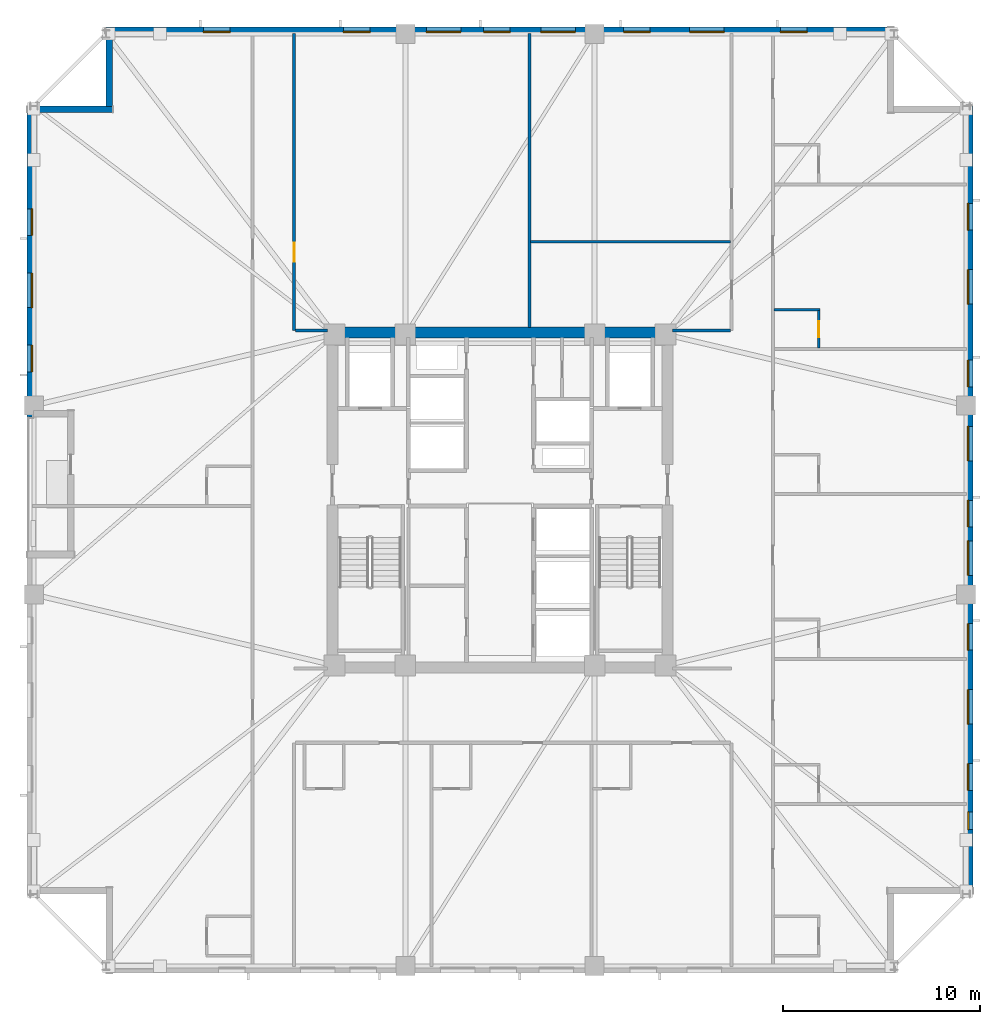
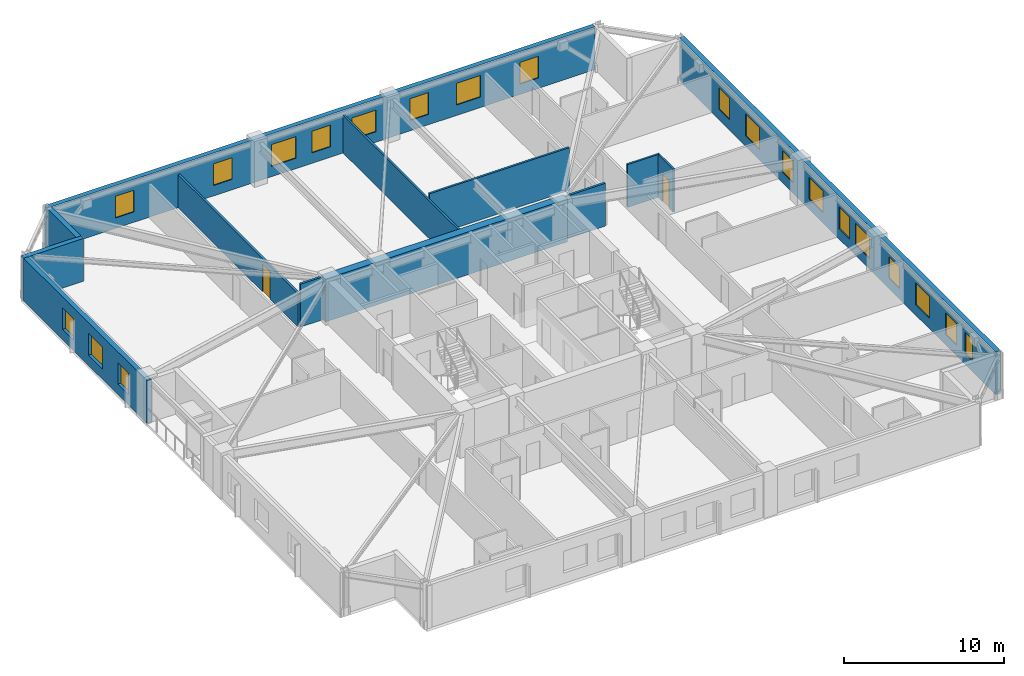
# One storey, part 5 of 11: 21 windows, 13 walls, 2 doors, 23 openings.
"""IFC4 building model written with IfcOpenShell, lengths in metres."""

from ifc_helpers import new_model, si_unit, direction, frame, frame_2d, origin, place, context, subcontext, project, spatial, rectangle, extrude, material, layer, layer_set, type_object, element, fill, save


model = new_model("IFC4")

# Units and contexts
model_context = context("Model", 3, precision=1e-05, world=origin(), true_north=direction((0.0, 1.0)))
body_context = subcontext(model_context, "Body", "Model", "MODEL_VIEW")
ifc_project = project(units=[si_unit("LENGTHUNIT", "METRE"), si_unit("AREAUNIT", "SQUARE_METRE"), si_unit("VOLUMEUNIT", "CUBIC_METRE"), si_unit("PLANEANGLEUNIT", "RADIAN"), si_unit("MASSUNIT", "GRAM", prefix="KILO")], contexts=[model_context])

# Site, building, storey
site_placement = place(None, origin())
site = spatial("IfcSite", under=ifc_project, at=site_placement, CompositionType="ELEMENT")
building_placement = place(site_placement, origin())
building = spatial("IfcBuilding", under=site, at=building_placement, Name="Cairnveth Concourse Tower", CompositionType="ELEMENT")
storey_placement = place(building_placement, frame((0.0, 0.0, 127.0)))
storey = spatial("IfcBuildingStorey", under=building, at=storey_placement, Name="L34", CompositionType="ELEMENT", Elevation=127.0)

# Wall, opening, door
ifc_material_1 = material(Name="Gypsum Plasterboard Partition", Category="gypsum")
ifc_layer_1 = layer(ifc_material_1, 0.159912109375)
ifc_layer_set_1 = layer_set([ifc_layer_1], Name="Gypsum Plasterboard Partition")
wall_type_1 = type_object("IfcWallType", Name="ACOUSTIC PARTY WALL 180", PredefinedType="PARTITIONING", material=ifc_layer_set_1)
wall_1_placement = place(storey_placement, frame((41.550048828125, 47.60009765625, 0.0), z_axis=(0.0, 0.0, 1.0), x_axis=(0.0, 1.0, 0.0)))
wall_1 = element("IfcWall", 1, at=wall_1_placement, inside=storey, type_object=wall_type_1, Name="Interior Wall IW-L34-039", PredefinedType="PARTITIONING", context=body_context, shape_type="SweptSolid", body=[
    extrude(rectangle(XDim=15.074951171875, YDim=0.159912109375, at=frame_2d((7.53759765625, 0.0))), origin(), (0.0, 0.0, 1.0), 2.554931640625),
])
opening_1_placement = place(wall_1_placement, frame((3.5, 0.0, 0.0)))
opening_1 = element("IfcOpeningElement", 2, at=opening_1_placement, cuts=wall_1, Name="Opening ID11", PredefinedType="OPENING", context=body_context, shape_type="SweptSolid", body=[
    extrude(rectangle(XDim=0.9599609375, YDim=2.1201171875, at=frame_2d((0.47998046875, 1.06005859375))), frame((0.0, 0.08984375, 0.0), z_axis=(0.0, -1.0, 0.0), x_axis=(1.0, 0.0, 0.0)), (0.0, 0.0, 1.0), 0.179931640625),
])
ifc_material_2 = material(Name="Solid Core Hardwood Timber Leaf", Category="wood")
door_type_1 = type_object("IfcDoorType", Name="INTERIOR SINGLE DOOR 960X2150", OperationType="NOTDEFINED", PredefinedType="DOOR", material=ifc_material_2)
door_1_placement = place(opening_1_placement, origin())
door_1 = element("IfcDoor", 3, at=door_1_placement, inside=storey, type_object=door_type_1, Name="Interior Door DR-L34-016", OperationType="SINGLE_SWING_RIGHT", OverallHeight=2.1201171875, OverallWidth=0.9599609375, PredefinedType="DOOR", context=body_context, shape_type="SweptSolid", body=[
    extrude(rectangle(XDim=0.9599609375, YDim=2.1201171875, at=frame_2d((0.47998046875, 1.06005859375))), frame((0.0, 0.02490234375, 0.0), z_axis=(0.0, -1.0, 0.0), x_axis=(1.0, 0.0, 0.0)), (0.0, 0.0, 1.0), 0.050048828125),
])
fill(opening_1, door_1)

# Walls
wall_2_placement = place(storey_placement, frame((41.614990234375, 47.60009765625, 0.0), z_axis=(0.0, 0.0, 1.0), x_axis=(1.0, 0.0, 0.0)))
element("IfcWall", 4, at=wall_2_placement, inside=storey, type_object=wall_type_1, Name="Interior Wall IW-L34-041", PredefinedType="PARTITIONING", context=body_context, shape_type="SweptSolid", body=[
    extrude(rectangle(XDim=1.6201171875, YDim=0.159912109375, at=frame_2d((0.81005859375, 0.0))), origin(), (0.0, 0.0, 1.0), 3.280029296875),
])
wall_3_placement = place(storey_placement, frame((60.764892578125, 47.60009765625, 0.0), z_axis=(0.0, 0.0, 1.0), x_axis=(1.0, 0.0, 0.0)))
element("IfcWall", 5, at=wall_3_placement, inside=storey, type_object=wall_type_1, Name="Interior Wall IW-L34-046", PredefinedType="PARTITIONING", context=body_context, shape_type="SweptSolid", body=[
    extrude(rectangle(XDim=2.920166015625, YDim=0.159912109375, at=frame_2d((1.4599609375, 0.0))), origin(), (0.0, 0.0, 1.0), 3.280029296875),
])
ifc_material_3 = material(Name="Concrete N80 (80 MPa)", Category="concrete")
ifc_layer_2 = layer(ifc_material_3, 0.550048828125)
ifc_layer_set_2 = layer_set([ifc_layer_2], Name="Concrete N80 (80 MPa)")
wall_type_2 = type_object("IfcWallType", Name="CORE SHEAR WALL 550", PredefinedType="SHEAR", material=ifc_layer_set_2)
wall_4_placement = place(storey_placement, frame((43.22509765625, 47.5, 0.0), z_axis=(0.0, 0.0, 1.0), x_axis=(1.0, 0.0, 0.0)))
element("IfcWall", 6, at=wall_4_placement, inside=storey, type_object=wall_type_2, Name="Core North Shear Wall L34", PredefinedType="SHEAR", context=body_context, shape_type="SweptSolid", body=[
    extrude(rectangle(XDim=17.5498046875, YDim=0.550048828125, at=frame_2d((8.77490234375, 0.0))), origin(), (0.0, 0.0, 1.0), 3.280029296875),
])
ifc_layer_3 = layer(ifc_material_1, 0.139892578125)
ifc_layer_set_3 = layer_set([ifc_layer_3], Name="Gypsum Plasterboard Partition")
wall_type_3 = type_object("IfcWallType", Name="GYPSUM STUD PARTITION 140", PredefinedType="PARTITIONING", material=ifc_layer_set_3)
wall_5_placement = place(storey_placement, frame((53.5, 47.760009765625, 0.0), z_axis=(0.0, 0.0, 1.0), x_axis=(0.0, 1.0, 0.0)))
element("IfcWall", 7, at=wall_5_placement, inside=storey, type_object=wall_type_3, Name="Interior Wall IW-L34-048", PredefinedType="PARTITIONING", context=body_context, shape_type="SweptSolid", body=[
    extrude(rectangle(XDim=14.9150390625, YDim=0.139892578125, at=frame_2d((7.45751953125, 0.0))), origin(), (0.0, 0.0, 1.0), 2.89599609375),
])
wall_6_placement = place(storey_placement, frame((53.554931640625, 52.10009765625, 0.0), z_axis=(0.0, 0.0, 1.0), x_axis=(1.0, 0.0, 0.0)))
element("IfcWall", 8, at=wall_6_placement, inside=storey, type_object=wall_type_3, Name="Interior Wall IW-L34-049", PredefinedType="PARTITIONING", context=body_context, shape_type="SweptSolid", body=[
    extrude(rectangle(XDim=10.130126953125, YDim=0.139892578125, at=frame_2d((5.06494140625, 0.0))), origin(), (0.0, 0.0, 1.0), 3.280029296875),
])
ifc_layer_4 = layer(ifc_material_1, 0.1298828125)
ifc_layer_set_4 = layer_set([ifc_layer_4], Name="Gypsum Plasterboard Partition")
wall_type_4 = type_object("IfcWallType", Name="WET AREA PARTITION 140", PredefinedType="PLUMBINGWALL", material=ifc_layer_set_4)
wall_7_placement = place(storey_placement, frame((65.9150390625, 48.6552734375, 0.0), z_axis=(0.0, 0.0, 1.0), x_axis=(1.0, 0.0, 0.0)))
element("IfcWall", 9, at=wall_7_placement, inside=storey, type_object=wall_type_4, Name="Interior Wall IW-L34-078", PredefinedType="PLUMBINGWALL", context=body_context, shape_type="SweptSolid", body=[
    extrude(rectangle(XDim=2.31494140625, YDim=0.1298828125, at=frame_2d((1.157470703125, 0.0))), origin(), (0.0, 0.0, 1.0), 3.280029296875),
])

# Wall, opening, door
wall_8_placement = place(storey_placement, frame((68.179931640625, 46.72021484375, 0.0), z_axis=(0.0, 0.0, 1.0), x_axis=(0.0, 1.0, 0.0)))
wall_8 = element("IfcWall", 10, at=wall_8_placement, inside=storey, type_object=wall_type_4, Name="Interior Wall IW-L34-079", PredefinedType="PLUMBINGWALL", context=body_context, shape_type="SweptSolid", body=[
    extrude(rectangle(XDim=1.885009765625, YDim=0.1298828125, at=frame_2d((0.9423828125, 0.0))), origin(), (0.0, 0.0, 1.0), 3.280029296875),
])
opening_2_placement = place(wall_8_placement, frame((0.52490234375, 0.0, 0.0)))
opening_2 = element("IfcOpeningElement", 11, at=opening_2_placement, cuts=wall_8, Name="Opening ID22", PredefinedType="OPENING", context=body_context, shape_type="SweptSolid", body=[
    extrude(rectangle(XDim=0.820068359375, YDim=2.10009765625, at=frame_2d((0.41015625, 1.050048828125))), frame((0.0, 0.074951171875, 0.0), z_axis=(0.0, -1.0, 0.0), x_axis=(1.0, 0.0, 0.0)), (0.0, 0.0, 1.0), 0.14990234375),
])
door_type_2 = type_object("IfcDoorType", Name="INTERIOR WC DOOR 820X2100", OperationType="NOTDEFINED", PredefinedType="DOOR", material=ifc_material_2)
door_2_placement = place(opening_2_placement, origin())
door_2 = element("IfcDoor", 12, at=door_2_placement, inside=storey, type_object=door_type_2, Name="En-Suite Door L34-E5", OperationType="SINGLE_SWING_LEFT", OverallHeight=2.10009765625, OverallWidth=0.820068359375, PredefinedType="DOOR", context=body_context, shape_type="SweptSolid", body=[
    extrude(rectangle(XDim=0.820068359375, YDim=2.10009765625, at=frame_2d((0.41015625, 1.050048828125))), frame((0.0, 0.02490234375, 0.0), z_axis=(0.0, -1.0, 0.0), x_axis=(1.0, 0.0, 0.0)), (0.0, 0.0, 1.0), 0.050048828125),
])
fill(opening_2, door_2)

# Wall, openings, windows
ifc_material_4 = material(Name="Hawthorn Red-Ochre Fired Clay Brick Masonry", Category="masonry")
ifc_layer_5 = layer(ifc_material_4, 0.340087890625)
ifc_layer_set_5 = layer_set([ifc_layer_5], Name="Hawthorn Red-Ochre Fired Clay Brick Masonry")
wall_type_5 = type_object("IfcWallType", Name="ZONE 2 BRICK PIER SPANDREL WALL 340", PredefinedType="SOLIDWALL", material=ifc_layer_set_5)
wall_9_placement = place(storey_placement, frame((28.169921875, 43.199951171875, 0.0), z_axis=(0.0, 0.0, 1.0), x_axis=(0.0, 1.0, 0.0)))
wall_9 = element("IfcWall", 13, at=wall_9_placement, inside=storey, type_object=wall_type_5, Name="Exterior Wall EW-L34-S00", PredefinedType="SOLIDWALL", context=body_context, shape_type="SweptSolid", body=[
    extrude(rectangle(XDim=15.48193359375, YDim=0.340087890625, at=frame_2d((7.740966796875, 0.0))), origin(), (0.0, 0.0, 1.0), 3.280029296875),
])
opening_3_placement = place(wall_9_placement, frame((2.305419921875, 0.0, 0.800048828125)))
opening_3 = element("IfcOpeningElement", 14, at=opening_3_placement, cuts=wall_9, Name="Opening W02", PredefinedType="OPENING", context=body_context, shape_type="SweptSolid", body=[
    extrude(rectangle(XDim=1.35009765625, YDim=1.659912109375, at=frame_2d((0.675048828125, 0.830078125))), frame((0.0, 0.179931640625, 0.0), z_axis=(0.0, -1.0, 0.0), x_axis=(1.0, 0.0, 0.0)), (0.0, 0.0, 1.0), 0.360107421875),
])
opening_4_placement = place(wall_9_placement, frame((5.56591796875, 0.0, 0.800048828125)))
opening_4 = element("IfcOpeningElement", 15, at=opening_4_placement, cuts=wall_9, Name="Opening W06", PredefinedType="OPENING", context=body_context, shape_type="SweptSolid", body=[
    extrude(rectangle(XDim=1.75, YDim=1.659912109375, at=frame_2d((0.875, 0.830078125))), frame((0.0, 0.179931640625, 0.0), z_axis=(0.0, -1.0, 0.0), x_axis=(1.0, 0.0, 0.0)), (0.0, 0.0, 1.0), 0.360107421875),
])
opening_5_placement = place(wall_9_placement, frame((9.226806640625, 0.0, 0.800048828125)))
opening_5 = element("IfcOpeningElement", 16, at=opening_5_placement, cuts=wall_9, Name="Opening W02", PredefinedType="OPENING", context=body_context, shape_type="SweptSolid", body=[
    extrude(rectangle(XDim=1.35009765625, YDim=1.659912109375, at=frame_2d((0.675048828125, 0.830078125))), frame((0.0, 0.179931640625, 0.0), z_axis=(0.0, -1.0, 0.0), x_axis=(1.0, 0.0, 0.0)), (0.0, 0.0, 1.0), 0.360107421875),
])
ifc_material_5 = material(Name="Double Glazed Low-E Clear Glass", Category="glass")
window_type_1 = type_object("IfcWindowType", Name="DEEP-SET GOTHIC LANCET WINDOW 1350X1800", PartitioningType="DOUBLE_PANEL_VERTICAL", PredefinedType="WINDOW", material=ifc_material_5)
window_1_placement = place(opening_3_placement, origin())
window_1 = element("IfcWindow", 17, at=window_1_placement, inside=storey, type_object=window_type_1, Name="Gothic Lancet Window L34-0-1", OverallHeight=1.659912109375, OverallWidth=1.35009765625, PartitioningType="SINGLE_PANEL", PredefinedType="WINDOW", context=body_context, shape_type="SweptSolid", body=[
    extrude(rectangle(XDim=1.35009765625, YDim=1.659912109375, at=frame_2d((0.675048828125, 0.830078125))), frame((0.0, -0.050048828125, 0.0), z_axis=(0.0, -1.0, 0.0), x_axis=(1.0, 0.0, 0.0)), (0.0, 0.0, 1.0), 0.06005859375),
])
fill(opening_3, window_1)
window_2_placement = place(opening_5_placement, origin())
window_2 = element("IfcWindow", 18, at=window_2_placement, inside=storey, type_object=window_type_1, Name="Gothic Lancet Window L34-0-3", OverallHeight=1.659912109375, OverallWidth=1.35009765625, PartitioningType="SINGLE_PANEL", PredefinedType="WINDOW", context=body_context, shape_type="SweptSolid", body=[
    extrude(rectangle(XDim=1.35009765625, YDim=1.659912109375, at=frame_2d((0.675048828125, 0.830078125))), frame((0.0, -0.050048828125, 0.0), z_axis=(0.0, -1.0, 0.0), x_axis=(1.0, 0.0, 0.0)), (0.0, 0.0, 1.0), 0.06005859375),
])
fill(opening_5, window_2)
window_type_2 = type_object("IfcWindowType", Name="DEEP-SET HOTEL SUITE WINDOW 1750X1800", PartitioningType="DOUBLE_PANEL_VERTICAL", PredefinedType="WINDOW", material=ifc_material_5)
window_3_placement = place(opening_4_placement, origin())
window_3 = element("IfcWindow", 19, at=window_3_placement, inside=storey, type_object=window_type_2, Name="Gothic Lancet Window L34-0-2", OverallHeight=1.659912109375, OverallWidth=1.75, PartitioningType="SINGLE_PANEL", PredefinedType="WINDOW", context=body_context, shape_type="SweptSolid", body=[
    extrude(rectangle(XDim=1.75, YDim=1.659912109375, at=frame_2d((0.875, 0.830078125))), frame((0.0, -0.050048828125, 0.0), z_axis=(0.0, -1.0, 0.0), x_axis=(1.0, 0.0, 0.0)), (0.0, 0.0, 1.0), 0.06005859375),
])
fill(opening_4, window_3)

# Walls
wall_10_placement = place(storey_placement, frame((28.0, 58.830078125, 0.0), z_axis=(0.0, 0.0, 1.0), x_axis=(1.0, 0.0, 0.0)))
element("IfcWall", 20, at=wall_10_placement, inside=storey, type_object=wall_type_5, Name="Exterior Wall EW-L34-S01", PredefinedType="SOLIDWALL", context=body_context, shape_type="SweptSolid", body=[
    extrude(rectangle(XDim=4.340087890625, YDim=0.340087890625, at=frame_2d((2.169921875, 0.0))), origin(), (0.0, 0.0, 1.0), 3.280029296875),
])
wall_11_placement = place(storey_placement, frame((32.169921875, 58.97802734375, 0.0), z_axis=(0.0, 0.0, 1.0), x_axis=(0.0, 1.0, 0.0)))
element("IfcWall", 21, at=wall_11_placement, inside=storey, type_object=wall_type_5, Name="Exterior Wall EW-L34-S02", PredefinedType="SOLIDWALL", context=body_context, shape_type="SweptSolid", body=[
    extrude(rectangle(XDim=3.703857421875, YDim=0.340087890625, at=frame_2d((1.85205078125, 0.0))), origin(), (0.0, 0.0, 1.0), 3.280029296875),
])

# Wall, openings, windows
wall_12_placement = place(storey_placement, frame((32.0, 62.830078125, 0.0), z_axis=(0.0, 0.0, 1.0), x_axis=(1.0, 0.0, 0.0)))
wall_12 = element("IfcWall", 22, at=wall_12_placement, inside=storey, type_object=wall_type_5, Name="Exterior Wall EW-L34-S03", PredefinedType="SOLIDWALL", context=body_context, shape_type="SweptSolid", body=[
    extrude(rectangle(XDim=39.681884765625, YDim=0.340087890625, at=frame_2d((19.8408203125, 0.0))), origin(), (0.0, 0.0, 1.0), 3.280029296875),
])
opening_6_placement = place(wall_12_placement, frame((4.951904296875, 0.0, 0.800048828125)))
opening_6 = element("IfcOpeningElement", 23, at=opening_6_placement, cuts=wall_12, Name="Opening W02", PredefinedType="OPENING", context=body_context, shape_type="SweptSolid", body=[
    extrude(rectangle(XDim=1.35009765625, YDim=1.659912109375, at=frame_2d((0.675048828125, 0.830078125))), frame((0.0, 0.179931640625, 0.0), z_axis=(0.0, -1.0, 0.0), x_axis=(1.0, 0.0, 0.0)), (0.0, 0.0, 1.0), 0.360107421875),
])
opening_7_placement = place(wall_12_placement, frame((12.058837890625, 0.0, 0.800048828125)))
opening_7 = element("IfcOpeningElement", 24, at=opening_7_placement, cuts=wall_12, Name="Opening W02", PredefinedType="OPENING", context=body_context, shape_type="SweptSolid", body=[
    extrude(rectangle(XDim=1.35009765625, YDim=1.659912109375, at=frame_2d((0.675048828125, 0.830078125))), frame((0.0, 0.179931640625, 0.0), z_axis=(0.0, -1.0, 0.0), x_axis=(1.0, 0.0, 0.0)), (0.0, 0.0, 1.0), 0.360107421875),
])
opening_8_placement = place(wall_12_placement, frame((16.262451171875, 0.0, 0.800048828125)))
opening_8 = element("IfcOpeningElement", 25, at=opening_8_placement, cuts=wall_12, Name="Opening W06", PredefinedType="OPENING", context=body_context, shape_type="SweptSolid", body=[
    extrude(rectangle(XDim=1.75, YDim=1.659912109375, at=frame_2d((0.875, 0.830078125))), frame((0.0, 0.179931640625, 0.0), z_axis=(0.0, -1.0, 0.0), x_axis=(1.0, 0.0, 0.0)), (0.0, 0.0, 1.0), 0.360107421875),
])
opening_9_placement = place(wall_12_placement, frame((19.166015625, 0.0, 0.800048828125)))
opening_9 = element("IfcOpeningElement", 26, at=opening_9_placement, cuts=wall_12, Name="Opening W02", PredefinedType="OPENING", context=body_context, shape_type="SweptSolid", body=[
    extrude(rectangle(XDim=1.35009765625, YDim=1.659912109375, at=frame_2d((0.675048828125, 0.830078125))), frame((0.0, 0.179931640625, 0.0), z_axis=(0.0, -1.0, 0.0), x_axis=(1.0, 0.0, 0.0)), (0.0, 0.0, 1.0), 0.360107421875),
])
opening_10_placement = place(wall_12_placement, frame((22.069580078125, 0.0, 0.800048828125)))
opening_10 = element("IfcOpeningElement", 27, at=opening_10_placement, cuts=wall_12, Name="Opening W06", PredefinedType="OPENING", context=body_context, shape_type="SweptSolid", body=[
    extrude(rectangle(XDim=1.75, YDim=1.659912109375, at=frame_2d((0.875, 0.830078125))), frame((0.0, 0.179931640625, 0.0), z_axis=(0.0, -1.0, 0.0), x_axis=(1.0, 0.0, 0.0)), (0.0, 0.0, 1.0), 0.360107421875),
])
opening_11_placement = place(wall_12_placement, frame((26.273193359375, 0.0, 0.800048828125)))
opening_11 = element("IfcOpeningElement", 28, at=opening_11_placement, cuts=wall_12, Name="Opening W02", PredefinedType="OPENING", context=body_context, shape_type="SweptSolid", body=[
    extrude(rectangle(XDim=1.35009765625, YDim=1.659912109375, at=frame_2d((0.675048828125, 0.830078125))), frame((0.0, 0.179931640625, 0.0), z_axis=(0.0, -1.0, 0.0), x_axis=(1.0, 0.0, 0.0)), (0.0, 0.0, 1.0), 0.360107421875),
])
opening_12_placement = place(wall_12_placement, frame((29.626708984375, 0.0, 0.800048828125)))
opening_12 = element("IfcOpeningElement", 29, at=opening_12_placement, cuts=wall_12, Name="Opening W06", PredefinedType="OPENING", context=body_context, shape_type="SweptSolid", body=[
    extrude(rectangle(XDim=1.75, YDim=1.659912109375, at=frame_2d((0.875, 0.830078125))), frame((0.0, 0.179931640625, 0.0), z_axis=(0.0, -1.0, 0.0), x_axis=(1.0, 0.0, 0.0)), (0.0, 0.0, 1.0), 0.360107421875),
])
opening_13_placement = place(wall_12_placement, frame((34.230224609375, 0.0, 0.800048828125)))
opening_13 = element("IfcOpeningElement", 30, at=opening_13_placement, cuts=wall_12, Name="Opening W02", PredefinedType="OPENING", context=body_context, shape_type="SweptSolid", body=[
    extrude(rectangle(XDim=1.35009765625, YDim=1.659912109375, at=frame_2d((0.675048828125, 0.830078125))), frame((0.0, 0.179931640625, 0.0), z_axis=(0.0, -1.0, 0.0), x_axis=(1.0, 0.0, 0.0)), (0.0, 0.0, 1.0), 0.360107421875),
])
window_4_placement = place(opening_6_placement, origin())
window_4 = element("IfcWindow", 31, at=window_4_placement, inside=storey, type_object=window_type_1, Name="Gothic Lancet Window L34-3-1", OverallHeight=1.659912109375, OverallWidth=1.35009765625, PartitioningType="SINGLE_PANEL", PredefinedType="WINDOW", context=body_context, shape_type="SweptSolid", body=[
    extrude(rectangle(XDim=1.35009765625, YDim=1.659912109375, at=frame_2d((0.675048828125, 0.830078125))), frame((0.0, -0.050048828125, 0.0), z_axis=(0.0, -1.0, 0.0), x_axis=(1.0, 0.0, 0.0)), (0.0, 0.0, 1.0), 0.06005859375),
])
fill(opening_6, window_4)
window_5_placement = place(opening_7_placement, origin())
window_5 = element("IfcWindow", 32, at=window_5_placement, inside=storey, type_object=window_type_1, Name="Gothic Lancet Window L34-3-3", OverallHeight=1.659912109375, OverallWidth=1.35009765625, PartitioningType="SINGLE_PANEL", PredefinedType="WINDOW", context=body_context, shape_type="SweptSolid", body=[
    extrude(rectangle(XDim=1.35009765625, YDim=1.659912109375, at=frame_2d((0.675048828125, 0.830078125))), frame((0.0, -0.050048828125, 0.0), z_axis=(0.0, -1.0, 0.0), x_axis=(1.0, 0.0, 0.0)), (0.0, 0.0, 1.0), 0.06005859375),
])
fill(opening_7, window_5)
window_6_placement = place(opening_9_placement, origin())
window_6 = element("IfcWindow", 33, at=window_6_placement, inside=storey, type_object=window_type_1, Name="Gothic Lancet Window L34-3-5", OverallHeight=1.659912109375, OverallWidth=1.35009765625, PartitioningType="SINGLE_PANEL", PredefinedType="WINDOW", context=body_context, shape_type="SweptSolid", body=[
    extrude(rectangle(XDim=1.35009765625, YDim=1.659912109375, at=frame_2d((0.675048828125, 0.830078125))), frame((0.0, -0.050048828125, 0.0), z_axis=(0.0, -1.0, 0.0), x_axis=(1.0, 0.0, 0.0)), (0.0, 0.0, 1.0), 0.06005859375),
])
fill(opening_9, window_6)
window_7_placement = place(opening_11_placement, origin())
window_7 = element("IfcWindow", 34, at=window_7_placement, inside=storey, type_object=window_type_1, Name="Gothic Lancet Window L34-3-7", OverallHeight=1.659912109375, OverallWidth=1.35009765625, PartitioningType="SINGLE_PANEL", PredefinedType="WINDOW", context=body_context, shape_type="SweptSolid", body=[
    extrude(rectangle(XDim=1.35009765625, YDim=1.659912109375, at=frame_2d((0.675048828125, 0.830078125))), frame((0.0, -0.050048828125, 0.0), z_axis=(0.0, -1.0, 0.0), x_axis=(1.0, 0.0, 0.0)), (0.0, 0.0, 1.0), 0.06005859375),
])
fill(opening_11, window_7)
window_8_placement = place(opening_13_placement, origin())
window_8 = element("IfcWindow", 35, at=window_8_placement, inside=storey, type_object=window_type_1, Name="Gothic Lancet Window L34-3-9", OverallHeight=1.659912109375, OverallWidth=1.35009765625, PartitioningType="SINGLE_PANEL", PredefinedType="WINDOW", context=body_context, shape_type="SweptSolid", body=[
    extrude(rectangle(XDim=1.35009765625, YDim=1.659912109375, at=frame_2d((0.675048828125, 0.830078125))), frame((0.0, -0.050048828125, 0.0), z_axis=(0.0, -1.0, 0.0), x_axis=(1.0, 0.0, 0.0)), (0.0, 0.0, 1.0), 0.06005859375),
])
fill(opening_13, window_8)
window_9_placement = place(opening_8_placement, origin())
window_9 = element("IfcWindow", 36, at=window_9_placement, inside=storey, type_object=window_type_2, Name="Gothic Lancet Window L34-3-4", OverallHeight=1.659912109375, OverallWidth=1.75, PartitioningType="SINGLE_PANEL", PredefinedType="WINDOW", context=body_context, shape_type="SweptSolid", body=[
    extrude(rectangle(XDim=1.75, YDim=1.659912109375, at=frame_2d((0.875, 0.830078125))), frame((0.0, -0.050048828125, 0.0), z_axis=(0.0, -1.0, 0.0), x_axis=(1.0, 0.0, 0.0)), (0.0, 0.0, 1.0), 0.06005859375),
])
fill(opening_8, window_9)
window_10_placement = place(opening_10_placement, origin())
window_10 = element("IfcWindow", 37, at=window_10_placement, inside=storey, type_object=window_type_2, Name="Gothic Lancet Window L34-3-6", OverallHeight=1.659912109375, OverallWidth=1.75, PartitioningType="SINGLE_PANEL", PredefinedType="WINDOW", context=body_context, shape_type="SweptSolid", body=[
    extrude(rectangle(XDim=1.75, YDim=1.659912109375, at=frame_2d((0.875, 0.830078125))), frame((0.0, -0.050048828125, 0.0), z_axis=(0.0, -1.0, 0.0), x_axis=(1.0, 0.0, 0.0)), (0.0, 0.0, 1.0), 0.06005859375),
])
fill(opening_10, window_10)
window_11_placement = place(opening_12_placement, origin())
window_11 = element("IfcWindow", 38, at=window_11_placement, inside=storey, type_object=window_type_2, Name="Gothic Lancet Window L34-3-8", OverallHeight=1.659912109375, OverallWidth=1.75, PartitioningType="SINGLE_PANEL", PredefinedType="WINDOW", context=body_context, shape_type="SweptSolid", body=[
    extrude(rectangle(XDim=1.75, YDim=1.659912109375, at=frame_2d((0.875, 0.830078125))), frame((0.0, -0.050048828125, 0.0), z_axis=(0.0, -1.0, 0.0), x_axis=(1.0, 0.0, 0.0)), (0.0, 0.0, 1.0), 0.06005859375),
])
fill(opening_12, window_11)

wall_13_placement = place(storey_placement, frame((75.830078125, 59.0, 0.0), z_axis=(0.0, 0.0, 1.0), x_axis=(0.0, -1.0, 0.0)))
wall_13 = element("IfcWall", 39, at=wall_13_placement, inside=storey, type_object=wall_type_5, Name="Exterior Wall EW-L34-S06", PredefinedType="SOLIDWALL", context=body_context, shape_type="SweptSolid", body=[
    extrude(rectangle(XDim=39.681884765625, YDim=0.340087890625, at=frame_2d((19.8408203125, 0.0))), origin(), (0.0, 0.0, 1.0), 3.280029296875),
])
opening_14_placement = place(wall_13_placement, frame((4.951904296875, 0.0, 0.800048828125)))
opening_14 = element("IfcOpeningElement", 40, at=opening_14_placement, cuts=wall_13, Name="Opening W02", PredefinedType="OPENING", context=body_context, shape_type="SweptSolid", body=[
    extrude(rectangle(XDim=1.35009765625, YDim=1.659912109375, at=frame_2d((0.675048828125, 0.830078125))), frame((0.0, 0.179931640625, 0.0), z_axis=(0.0, -1.0, 0.0), x_axis=(1.0, 0.0, 0.0)), (0.0, 0.0, 1.0), 0.360107421875),
])
opening_15_placement = place(wall_13_placement, frame((8.305419921875, 0.0, 0.800048828125)))
opening_15 = element("IfcOpeningElement", 41, at=opening_15_placement, cuts=wall_13, Name="Opening W06", PredefinedType="OPENING", context=body_context, shape_type="SweptSolid", body=[
    extrude(rectangle(XDim=1.75, YDim=1.659912109375, at=frame_2d((0.875, 0.830078125))), frame((0.0, 0.179931640625, 0.0), z_axis=(0.0, -1.0, 0.0), x_axis=(1.0, 0.0, 0.0)), (0.0, 0.0, 1.0), 0.360107421875),
])
opening_16_placement = place(wall_13_placement, frame((12.908935546875, 0.0, 0.800048828125)))
opening_16 = element("IfcOpeningElement", 42, at=opening_16_placement, cuts=wall_13, Name="Opening W02", PredefinedType="OPENING", context=body_context, shape_type="SweptSolid", body=[
    extrude(rectangle(XDim=1.35009765625, YDim=1.659912109375, at=frame_2d((0.675048828125, 0.830078125))), frame((0.0, 0.179931640625, 0.0), z_axis=(0.0, -1.0, 0.0), x_axis=(1.0, 0.0, 0.0)), (0.0, 0.0, 1.0), 0.360107421875),
])
opening_17_placement = place(wall_13_placement, frame((16.262451171875, 0.0, 0.800048828125)))
opening_17 = element("IfcOpeningElement", 43, at=opening_17_placement, cuts=wall_13, Name="Opening W06", PredefinedType="OPENING", context=body_context, shape_type="SweptSolid", body=[
    extrude(rectangle(XDim=1.75, YDim=1.659912109375, at=frame_2d((0.875, 0.830078125))), frame((0.0, 0.179931640625, 0.0), z_axis=(0.0, -1.0, 0.0), x_axis=(1.0, 0.0, 0.0)), (0.0, 0.0, 1.0), 0.360107421875),
])
opening_18_placement = place(wall_13_placement, frame((20.01611328125, 0.0, 0.800048828125)))
opening_18 = element("IfcOpeningElement", 44, at=opening_18_placement, cuts=wall_13, Name="Opening W02", PredefinedType="OPENING", context=body_context, shape_type="SweptSolid", body=[
    extrude(rectangle(XDim=1.35009765625, YDim=1.659912109375, at=frame_2d((0.675048828125, 0.830078125))), frame((0.0, 0.179931640625, 0.0), z_axis=(0.0, -1.0, 0.0), x_axis=(1.0, 0.0, 0.0)), (0.0, 0.0, 1.0), 0.360107421875),
])
opening_19_placement = place(wall_13_placement, frame((22.069580078125, 0.0, 0.800048828125)))
opening_19 = element("IfcOpeningElement", 45, at=opening_19_placement, cuts=wall_13, Name="Opening W06", PredefinedType="OPENING", context=body_context, shape_type="SweptSolid", body=[
    extrude(rectangle(XDim=1.75, YDim=1.659912109375, at=frame_2d((0.875, 0.830078125))), frame((0.0, 0.179931640625, 0.0), z_axis=(0.0, -1.0, 0.0), x_axis=(1.0, 0.0, 0.0)), (0.0, 0.0, 1.0), 0.360107421875),
])
opening_20_placement = place(wall_13_placement, frame((26.273193359375, 0.0, 0.800048828125)))
opening_20 = element("IfcOpeningElement", 46, at=opening_20_placement, cuts=wall_13, Name="Opening W02", PredefinedType="OPENING", context=body_context, shape_type="SweptSolid", body=[
    extrude(rectangle(XDim=1.35009765625, YDim=1.659912109375, at=frame_2d((0.675048828125, 0.830078125))), frame((0.0, 0.179931640625, 0.0), z_axis=(0.0, -1.0, 0.0), x_axis=(1.0, 0.0, 0.0)), (0.0, 0.0, 1.0), 0.360107421875),
])
opening_21_placement = place(wall_13_placement, frame((29.626708984375, 0.0, 0.800048828125)))
opening_21 = element("IfcOpeningElement", 47, at=opening_21_placement, cuts=wall_13, Name="Opening W06", PredefinedType="OPENING", context=body_context, shape_type="SweptSolid", body=[
    extrude(rectangle(XDim=1.75, YDim=1.659912109375, at=frame_2d((0.875, 0.830078125))), frame((0.0, 0.179931640625, 0.0), z_axis=(0.0, -1.0, 0.0), x_axis=(1.0, 0.0, 0.0)), (0.0, 0.0, 1.0), 0.360107421875),
])
opening_22_placement = place(wall_13_placement, frame((33.380126953125, 0.0, 0.800048828125)))
opening_22 = element("IfcOpeningElement", 48, at=opening_22_placement, cuts=wall_13, Name="Opening W02", PredefinedType="OPENING", context=body_context, shape_type="SweptSolid", body=[
    extrude(rectangle(XDim=1.35009765625, YDim=1.659912109375, at=frame_2d((0.675048828125, 0.830078125))), frame((0.0, 0.179931640625, 0.0), z_axis=(0.0, -1.0, 0.0), x_axis=(1.0, 0.0, 0.0)), (0.0, 0.0, 1.0), 0.360107421875),
])
opening_23_placement = place(wall_13_placement, frame((35.830078125, 0.0, 0.800048828125)))
opening_23 = element("IfcOpeningElement", 49, at=opening_23_placement, cuts=wall_13, Name="Opening W13", PredefinedType="OPENING", context=body_context, shape_type="SweptSolid", body=[
    extrude(rectangle(XDim=0.89990234375, YDim=1.659912109375, at=frame_2d((0.449951171875, 0.830078125))), frame((0.0, 0.179931640625, 0.0), z_axis=(0.0, -1.0, 0.0), x_axis=(1.0, 0.0, 0.0)), (0.0, 0.0, 1.0), 0.360107421875),
])
window_type_3 = type_object("IfcWindowType", Name="DEEP-SET BEDROOM LANCET WINDOW 900X1750", PartitioningType="DOUBLE_PANEL_VERTICAL", PredefinedType="WINDOW", material=ifc_material_5)
window_12_placement = place(opening_23_placement, origin())
window_12 = element("IfcWindow", 50, at=window_12_placement, inside=storey, type_object=window_type_3, Name="Dwelling Lancet Window L34-DW1", OverallHeight=1.659912109375, OverallWidth=0.89990234375, PartitioningType="SINGLE_PANEL", PredefinedType="WINDOW", context=body_context, shape_type="SweptSolid", body=[
    extrude(rectangle(XDim=0.89990234375, YDim=1.659912109375, at=frame_2d((0.449951171875, 0.830078125))), frame((0.0, -0.0400390625, 0.0), z_axis=(0.0, -1.0, 0.0), x_axis=(1.0, 0.0, 0.0)), (0.0, 0.0, 1.0), 0.06005859375),
])
fill(opening_23, window_12)
window_13_placement = place(opening_14_placement, origin())
window_13 = element("IfcWindow", 51, at=window_13_placement, inside=storey, type_object=window_type_1, Name="Gothic Lancet Window L34-6-1", OverallHeight=1.659912109375, OverallWidth=1.35009765625, PartitioningType="SINGLE_PANEL", PredefinedType="WINDOW", context=body_context, shape_type="SweptSolid", body=[
    extrude(rectangle(XDim=1.35009765625, YDim=1.659912109375, at=frame_2d((0.675048828125, 0.830078125))), frame((0.0, -0.050048828125, 0.0), z_axis=(0.0, -1.0, 0.0), x_axis=(1.0, 0.0, 0.0)), (0.0, 0.0, 1.0), 0.06005859375),
])
fill(opening_14, window_13)
window_14_placement = place(opening_16_placement, origin())
window_14 = element("IfcWindow", 52, at=window_14_placement, inside=storey, type_object=window_type_1, Name="Gothic Lancet Window L34-6-3", OverallHeight=1.659912109375, OverallWidth=1.35009765625, PartitioningType="SINGLE_PANEL", PredefinedType="WINDOW", context=body_context, shape_type="SweptSolid", body=[
    extrude(rectangle(XDim=1.35009765625, YDim=1.659912109375, at=frame_2d((0.675048828125, 0.830078125))), frame((0.0, -0.050048828125, 0.0), z_axis=(0.0, -1.0, 0.0), x_axis=(1.0, 0.0, 0.0)), (0.0, 0.0, 1.0), 0.06005859375),
])
fill(opening_16, window_14)
window_15_placement = place(opening_18_placement, origin())
window_15 = element("IfcWindow", 53, at=window_15_placement, inside=storey, type_object=window_type_1, Name="Gothic Lancet Window L34-6-5", OverallHeight=1.659912109375, OverallWidth=1.35009765625, PartitioningType="SINGLE_PANEL", PredefinedType="WINDOW", context=body_context, shape_type="SweptSolid", body=[
    extrude(rectangle(XDim=1.35009765625, YDim=1.659912109375, at=frame_2d((0.675048828125, 0.830078125))), frame((0.0, -0.050048828125, 0.0), z_axis=(0.0, -1.0, 0.0), x_axis=(1.0, 0.0, 0.0)), (0.0, 0.0, 1.0), 0.06005859375),
])
fill(opening_18, window_15)
window_16_placement = place(opening_20_placement, origin())
window_16 = element("IfcWindow", 54, at=window_16_placement, inside=storey, type_object=window_type_1, Name="Gothic Lancet Window L34-6-7", OverallHeight=1.659912109375, OverallWidth=1.35009765625, PartitioningType="SINGLE_PANEL", PredefinedType="WINDOW", context=body_context, shape_type="SweptSolid", body=[
    extrude(rectangle(XDim=1.35009765625, YDim=1.659912109375, at=frame_2d((0.675048828125, 0.830078125))), frame((0.0, -0.050048828125, 0.0), z_axis=(0.0, -1.0, 0.0), x_axis=(1.0, 0.0, 0.0)), (0.0, 0.0, 1.0), 0.06005859375),
])
fill(opening_20, window_16)
window_17_placement = place(opening_22_placement, origin())
window_17 = element("IfcWindow", 55, at=window_17_placement, inside=storey, type_object=window_type_1, Name="Gothic Lancet Window L34-6-9", OverallHeight=1.659912109375, OverallWidth=1.35009765625, PartitioningType="SINGLE_PANEL", PredefinedType="WINDOW", context=body_context, shape_type="SweptSolid", body=[
    extrude(rectangle(XDim=1.35009765625, YDim=1.659912109375, at=frame_2d((0.675048828125, 0.830078125))), frame((0.0, -0.050048828125, 0.0), z_axis=(0.0, -1.0, 0.0), x_axis=(1.0, 0.0, 0.0)), (0.0, 0.0, 1.0), 0.06005859375),
])
fill(opening_22, window_17)
window_18_placement = place(opening_15_placement, origin())
window_18 = element("IfcWindow", 56, at=window_18_placement, inside=storey, type_object=window_type_2, Name="Gothic Lancet Window L34-6-2", OverallHeight=1.659912109375, OverallWidth=1.75, PartitioningType="SINGLE_PANEL", PredefinedType="WINDOW", context=body_context, shape_type="SweptSolid", body=[
    extrude(rectangle(XDim=1.75, YDim=1.659912109375, at=frame_2d((0.875, 0.830078125))), frame((0.0, -0.050048828125, 0.0), z_axis=(0.0, -1.0, 0.0), x_axis=(1.0, 0.0, 0.0)), (0.0, 0.0, 1.0), 0.06005859375),
])
fill(opening_15, window_18)
window_19_placement = place(opening_17_placement, origin())
window_19 = element("IfcWindow", 57, at=window_19_placement, inside=storey, type_object=window_type_2, Name="Gothic Lancet Window L34-6-4", OverallHeight=1.659912109375, OverallWidth=1.75, PartitioningType="SINGLE_PANEL", PredefinedType="WINDOW", context=body_context, shape_type="SweptSolid", body=[
    extrude(rectangle(XDim=1.75, YDim=1.659912109375, at=frame_2d((0.875, 0.830078125))), frame((0.0, -0.050048828125, 0.0), z_axis=(0.0, -1.0, 0.0), x_axis=(1.0, 0.0, 0.0)), (0.0, 0.0, 1.0), 0.06005859375),
])
fill(opening_17, window_19)
window_20_placement = place(opening_19_placement, origin())
window_20 = element("IfcWindow", 58, at=window_20_placement, inside=storey, type_object=window_type_2, Name="Gothic Lancet Window L34-6-6", OverallHeight=1.659912109375, OverallWidth=1.75, PartitioningType="SINGLE_PANEL", PredefinedType="WINDOW", context=body_context, shape_type="SweptSolid", body=[
    extrude(rectangle(XDim=1.75, YDim=1.659912109375, at=frame_2d((0.875, 0.830078125))), frame((0.0, -0.050048828125, 0.0), z_axis=(0.0, -1.0, 0.0), x_axis=(1.0, 0.0, 0.0)), (0.0, 0.0, 1.0), 0.06005859375),
])
fill(opening_19, window_20)
window_21_placement = place(opening_21_placement, origin())
window_21 = element("IfcWindow", 59, at=window_21_placement, inside=storey, type_object=window_type_2, Name="Gothic Lancet Window L34-6-8", OverallHeight=1.659912109375, OverallWidth=1.75, PartitioningType="SINGLE_PANEL", PredefinedType="WINDOW", context=body_context, shape_type="SweptSolid", body=[
    extrude(rectangle(XDim=1.75, YDim=1.659912109375, at=frame_2d((0.875, 0.830078125))), frame((0.0, -0.050048828125, 0.0), z_axis=(0.0, -1.0, 0.0), x_axis=(1.0, 0.0, 0.0)), (0.0, 0.0, 1.0), 0.06005859375),
])
fill(opening_21, window_21)

save(model, "model.ifc")
